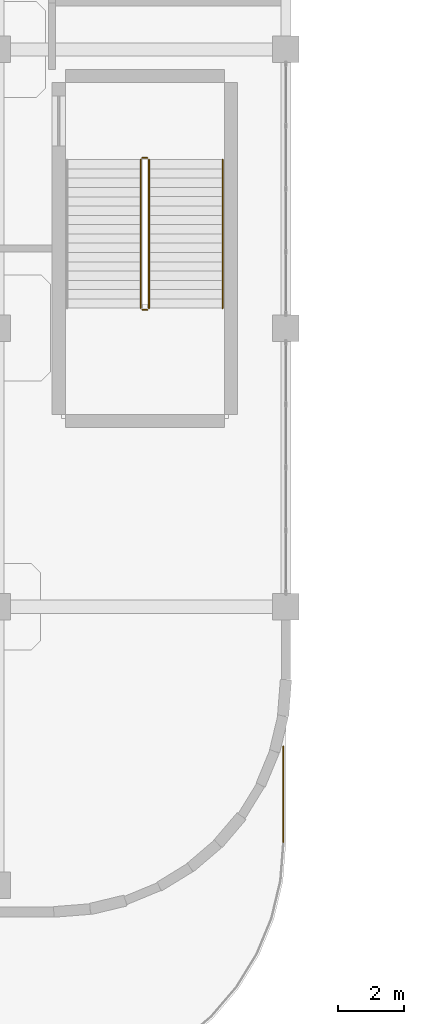
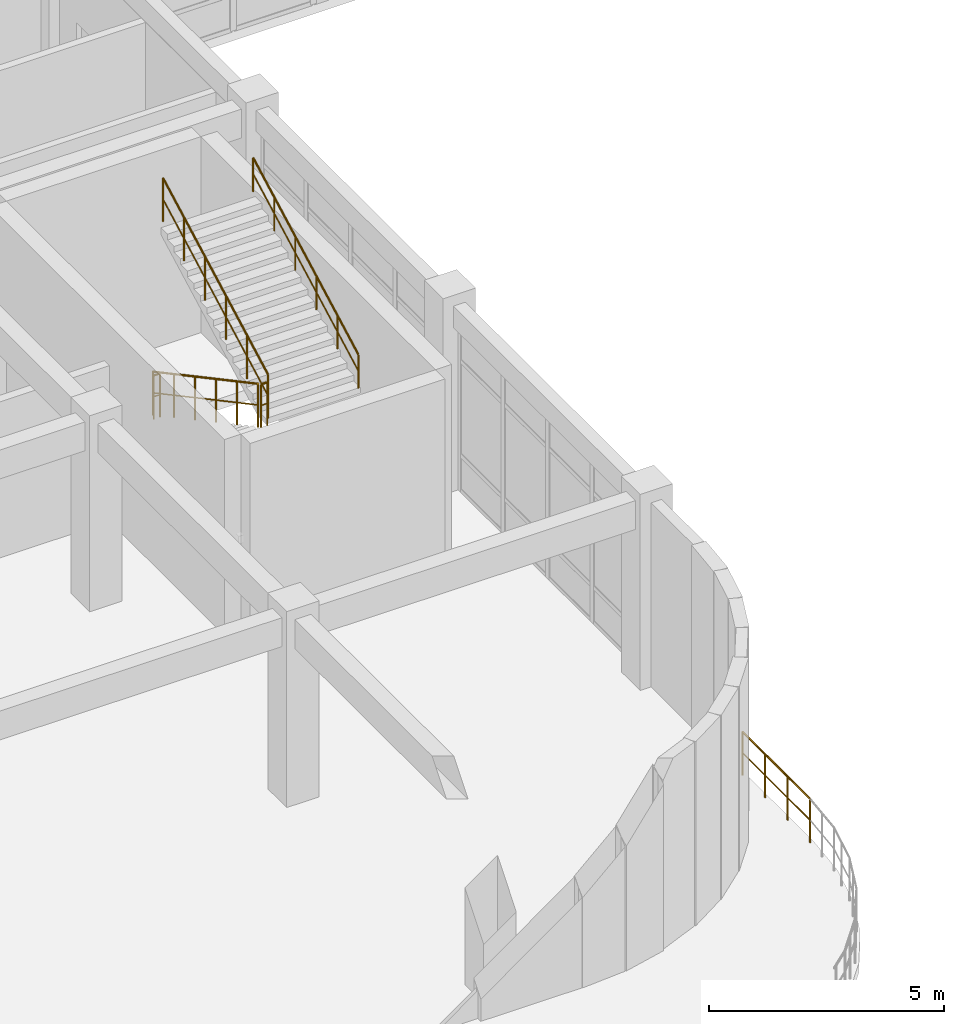
# One storey, part 89 of 96: 6 railings.
"""IFC4 building model written with IfcOpenShell, lengths in metres."""

from ifc_helpers import new_model, si_unit, derived_unit, direction, frame, origin, origin_2d, place, context, subcontext, project, spatial, circle, extrude, material, type_object, element, save


model = new_model("IFC4")

# Units and contexts
model_context = context("Model", 3, precision=1e-05, world=origin(), true_north=direction((0.0, 1.0)))
body_context = subcontext(model_context, "Body", "Model", "MODEL_VIEW")
ifc_project = project(units=[si_unit("LENGTHUNIT", "METRE"), si_unit("AREAUNIT", "SQUARE_METRE"), si_unit("VOLUMEUNIT", "CUBIC_METRE"), si_unit("PLANEANGLEUNIT", "RADIAN"), si_unit("MASSUNIT", "GRAM", prefix="KILO"), derived_unit("THERMALTRANSMITTANCEUNIT", [(si_unit("MASSUNIT", "GRAM", prefix="KILO"), 1), (si_unit("TIMEUNIT", "SECOND"), -3), (si_unit("THERMODYNAMICTEMPERATUREUNIT", "KELVIN"), -1)])], contexts=[model_context])

# Site, building, storey
site_placement = place(None, origin())
site = spatial("IfcSite", under=ifc_project, at=site_placement, CompositionType="ELEMENT")
building_placement = place(site_placement, origin())
building = spatial("IfcBuilding", under=site, at=building_placement, Name="Qinzheling Arcade Emporium", CompositionType="ELEMENT")
storey_placement = place(building_placement, frame((0.0, 0.0, 21.60009765625)))
storey = spatial("IfcBuildingStorey", under=building, at=storey_placement, Name="L05", CompositionType="ELEMENT", Elevation=21.60009765625)

# Railings
ifc_material_1 = material(Name="Architectural bronze rail and laminated safety glass", Category="glass")
railing_type_1 = type_object("IfcRailingType", Name="Curved Terrace Laminated Glass and Bronze Balustrade 1150", PredefinedType="BALUSTRADE", material=ifc_material_1)
railing_1_placement = place(storey_placement, frame((69.52001953125, 12.590087890625, 0.0)))
element("IfcRailing", 1, at=railing_1_placement, inside=storey, type_object=railing_type_1, Name="Terrace Balustrade RLG-TER-L05-009", PredefinedType="BALUSTRADE", context=body_context, shape_type="SweptSolid", body=[
    extrude(circle(Radius=0.02392578125, at=origin_2d()), frame((0.0, 0.0, 1.1259765625), z_axis=(0.0, -1.0, 0.0), x_axis=(1.0, 0.0, 0.0)), (0.0, 0.0, 1.0), 2.88720703125),
    extrude(circle(Radius=0.01611328125, at=origin_2d()), frame((0.0, 0.0, 0.574951171875), z_axis=(0.0, -1.0, 0.0), x_axis=(1.0, 0.0, 0.0)), (0.0, 0.0, 1.0), 2.88720703125),
    extrude(circle(Radius=0.02099609375, at=origin_2d()), origin(), (0.0, 0.0, 1.0), 1.101806640625),
    extrude(circle(Radius=0.02099609375, at=origin_2d()), frame((0.0, -0.96240234375, 0.0)), (0.0, 0.0, 1.0), 1.101806640625),
    extrude(circle(Radius=0.02099609375, at=origin_2d()), frame((0.0, -1.9248046875, 0.0)), (0.0, 0.0, 1.0), 1.101806640625),
    extrude(circle(Radius=0.02099609375, at=origin_2d()), frame((0.0, -2.88720703125, 0.0)), (0.0, 0.0, 1.0), 1.101806640625),
])
ifc_material_2 = material(Name="Galvanised powder-coated tubular steel", Category="steel")
railing_type_2 = type_object("IfcRailingType", Name="Painted Steel Stairwell Guard Railing 1150", PredefinedType="GUARDRAIL", material=ifc_material_2)
railing_2_placement = place(storey_placement, frame((65.219970703125, 30.280029296875, 0.14990234375)))
element("IfcRailing", 2, at=railing_2_placement, inside=storey, type_object=railing_type_2, Name="L05 ST01 stair guard 1", PredefinedType="GUARDRAIL", context=body_context, shape_type="SweptSolid", body=[
    extrude(circle(Radius=0.02392578125, at=origin_2d()), frame((0.0, 0.0, 1.1259765625), z_axis=(0.0, -0.881487111273, 0.472208081951), x_axis=(1.0, 0.0, 0.0)), (0.0, 0.0, 1.0), 5.082275390625),
    extrude(circle(Radius=0.01611328125, at=origin_2d()), frame((0.0, 0.0, 0.574951171875), z_axis=(0.0, -0.881487111273, 0.472208081951), x_axis=(1.0, 0.0, 0.0)), (0.0, 0.0, 1.0), 5.082275390625),
    extrude(circle(Radius=0.02099609375, at=origin_2d()), origin(), (0.0, 0.0, 1.0), 1.101806640625),
    extrude(circle(Radius=0.02099609375, at=origin_2d()), frame((0.0, -0.89599609375, 0.47998046875)), (0.0, 0.0, 1.0), 1.101806640625),
    extrude(circle(Radius=0.02099609375, at=origin_2d()), frame((0.0, -1.7919921875, 0.9599609375)), (0.0, 0.0, 1.0), 1.101806640625),
    extrude(circle(Radius=0.02099609375, at=origin_2d()), frame((0.0, -2.68798828125, 1.43994140625)), (0.0, 0.0, 1.0), 1.101806640625),
    extrude(circle(Radius=0.02099609375, at=origin_2d()), frame((0.0, -3.583984375, 1.919921875)), (0.0, 0.0, 1.0), 1.101806640625),
    extrude(circle(Radius=0.02099609375, at=origin_2d()), frame((0.0, -4.47998046875, 2.39990234375)), (0.0, 0.0, 1.0), 1.101806640625),
])
railing_3_placement = place(storey_placement, frame((65.27001953125, 25.75, 2.5498046875)))
element("IfcRailing", 3, at=railing_3_placement, inside=storey, type_object=railing_type_2, Name="L05 ST01 stair guard 2", PredefinedType="GUARDRAIL", context=body_context, shape_type="SweptSolid", body=[
    extrude(circle(Radius=0.02392578125, at=origin_2d()), frame((0.0, 0.0, 1.1259765625), z_axis=(1.0, 0.0, 0.0), x_axis=(0.0, 1.0, 0.0)), (0.0, 0.0, 1.0), 0.14990234375),
    extrude(circle(Radius=0.01611328125, at=origin_2d()), frame((0.0, 0.0, 0.574951171875), z_axis=(1.0, 0.0, 0.0), x_axis=(0.0, 1.0, 0.0)), (0.0, 0.0, 1.0), 0.14990234375),
    extrude(circle(Radius=0.02099609375, at=origin_2d()), origin(), (0.0, 0.0, 1.0), 1.101806640625),
    extrude(circle(Radius=0.02099609375, at=origin_2d()), frame((0.14990234375, 0.0, 0.0)), (0.0, 0.0, 1.0), 1.101806640625),
])
railing_4_placement = place(storey_placement, frame((65.469970703125, 25.800048828125, 2.699951171875)))
element("IfcRailing", 4, at=railing_4_placement, inside=storey, type_object=railing_type_2, Name="L05 ST01 stair guard 3", PredefinedType="GUARDRAIL", context=body_context, shape_type="SweptSolid", body=[
    extrude(circle(Radius=0.02392578125, at=origin_2d()), frame((0.0, 0.0, 1.1259765625), z_axis=(0.0, 0.881487111273, 0.472208081951), x_axis=(-1.0, 0.0, 0.0)), (0.0, 0.0, 1.0), 5.082275390625),
    extrude(circle(Radius=0.01611328125, at=origin_2d()), frame((0.0, 0.0, 0.574951171875), z_axis=(0.0, 0.881487111273, 0.472208081951), x_axis=(-1.0, 0.0, 0.0)), (0.0, 0.0, 1.0), 5.082275390625),
    extrude(circle(Radius=0.02099609375, at=origin_2d()), origin(), (0.0, 0.0, 1.0), 1.101806640625),
    extrude(circle(Radius=0.02099609375, at=origin_2d()), frame((0.0, 0.89599609375, 0.47998046875)), (0.0, 0.0, 1.0), 1.101806640625),
    extrude(circle(Radius=0.02099609375, at=origin_2d()), frame((0.0, 1.7919921875, 0.9599609375)), (0.0, 0.0, 1.0), 1.101806640625),
    extrude(circle(Radius=0.02099609375, at=origin_2d()), frame((0.0, 2.68798828125, 1.43994140625)), (0.0, 0.0, 1.0), 1.101806640625),
    extrude(circle(Radius=0.02099609375, at=origin_2d()), frame((0.0, 3.583984375, 1.919921875)), (0.0, 0.0, 1.0), 1.101806640625),
    extrude(circle(Radius=0.02099609375, at=origin_2d()), frame((0.0, 4.47998046875, 2.39990234375)), (0.0, 0.0, 1.0), 1.101806640625),
])
railing_5_placement = place(storey_placement, frame((65.27001953125, 30.330078125, 0.0)))
element("IfcRailing", 5, at=railing_5_placement, inside=storey, type_object=railing_type_2, Name="L05 ST01 stair guard 4", PredefinedType="GUARDRAIL", context=body_context, shape_type="SweptSolid", body=[
    extrude(circle(Radius=0.02392578125, at=origin_2d()), frame((0.0, 0.0, 1.1259765625), z_axis=(1.0, 0.0, 0.0), x_axis=(0.0, 1.0, 0.0)), (0.0, 0.0, 1.0), 0.14990234375),
    extrude(circle(Radius=0.01611328125, at=origin_2d()), frame((0.0, 0.0, 0.574951171875), z_axis=(1.0, 0.0, 0.0), x_axis=(0.0, 1.0, 0.0)), (0.0, 0.0, 1.0), 0.14990234375),
    extrude(circle(Radius=0.02099609375, at=origin_2d()), origin(), (0.0, 0.0, 1.0), 1.101806640625),
    extrude(circle(Radius=0.02099609375, at=origin_2d()), frame((0.14990234375, 0.0, 0.0)), (0.0, 0.0, 1.0), 1.101806640625),
])
ifc_material_3 = material(Name="Brushed stainless steel 304", Category="steel")
railing_type_3 = type_object("IfcRailingType", Name="Stainless Steel Wall Handrail 900", PredefinedType="HANDRAIL", material=ifc_material_3)
railing_6_placement = place(storey_placement, frame((67.68994140625, 25.800048828125, 2.699951171875)))
element("IfcRailing", 6, at=railing_6_placement, inside=storey, type_object=railing_type_3, Name="L05 ST01 stair handrail 2", PredefinedType="HANDRAIL", context=body_context, shape_type="SweptSolid", body=[
    extrude(circle(Radius=0.02392578125, at=origin_2d()), frame((0.0, 0.0, 0.8759765625), z_axis=(0.0, 0.881487111273, 0.472208081951), x_axis=(-1.0, 0.0, 0.0)), (0.0, 0.0, 1.0), 5.082275390625),
    extrude(circle(Radius=0.01611328125, at=origin_2d()), frame((0.0, 0.0, 0.449951171875), z_axis=(0.0, 0.881487111273, 0.472208081951), x_axis=(-1.0, 0.0, 0.0)), (0.0, 0.0, 1.0), 5.082275390625),
    extrude(circle(Radius=0.02099609375, at=origin_2d()), origin(), (0.0, 0.0, 1.0), 0.851806640625),
    extrude(circle(Radius=0.02099609375, at=origin_2d()), frame((0.0, 0.89599609375, 0.47998046875)), (0.0, 0.0, 1.0), 0.851806640625),
    extrude(circle(Radius=0.02099609375, at=origin_2d()), frame((0.0, 1.7919921875, 0.9599609375)), (0.0, 0.0, 1.0), 0.851806640625),
    extrude(circle(Radius=0.02099609375, at=origin_2d()), frame((0.0, 2.68798828125, 1.43994140625)), (0.0, 0.0, 1.0), 0.851806640625),
    extrude(circle(Radius=0.02099609375, at=origin_2d()), frame((0.0, 3.583984375, 1.919921875)), (0.0, 0.0, 1.0), 0.851806640625),
    extrude(circle(Radius=0.02099609375, at=origin_2d()), frame((0.0, 4.47998046875, 2.39990234375)), (0.0, 0.0, 1.0), 0.851806640625),
])

save(model, "model.ifc")
